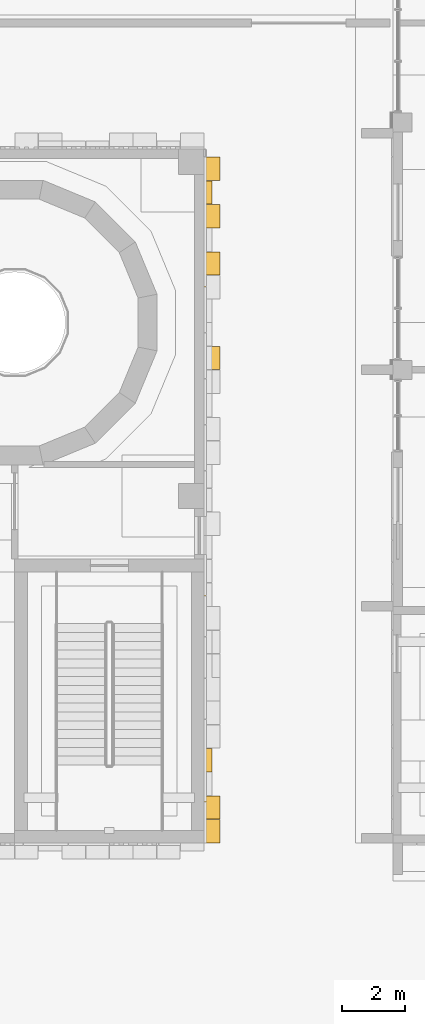
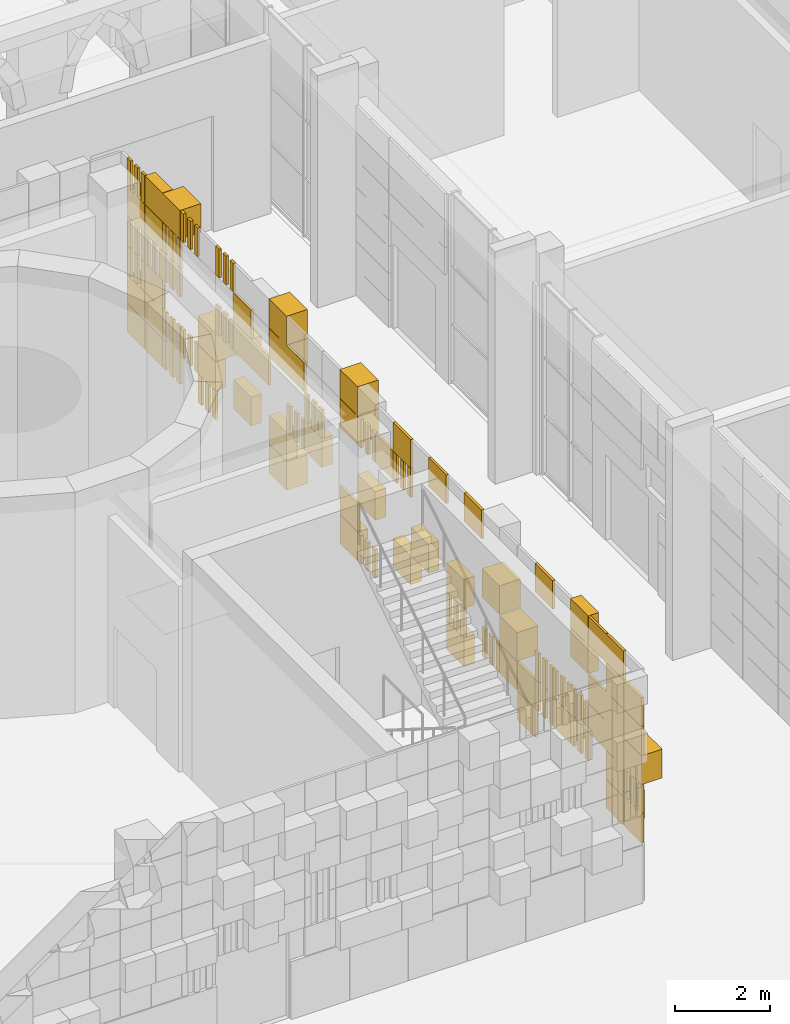
# One storey, part 99 of 125: 2 coverings.
"""IFC4 building model written with IfcOpenShell, lengths in metres."""

from ifc_helpers import new_model, si_unit, direction, frame, origin, origin_2d, place, context, subcontext, project, spatial, rectangle, extrude, material, layer, layer_set, type_object, element, save


model = new_model("IFC4")

# Units and contexts
model_context = context("Model", 3, precision=1e-05, world=origin(), true_north=direction((0.0, 1.0)))
body_context = subcontext(model_context, "Body", "Model", "MODEL_VIEW")
ifc_project = project(units=[si_unit("LENGTHUNIT", "METRE"), si_unit("AREAUNIT", "SQUARE_METRE"), si_unit("VOLUMEUNIT", "CUBIC_METRE"), si_unit("PLANEANGLEUNIT", "RADIAN"), si_unit("MASSUNIT", "GRAM", prefix="KILO")], contexts=[model_context])

# Site, building, storey
site_placement = place(None, origin())
site = spatial("IfcSite", under=ifc_project, at=site_placement, CompositionType="ELEMENT")
building_placement = place(site_placement, origin())
building = spatial("IfcBuilding", under=site, at=building_placement, Name="Sun Court Science Centre", CompositionType="ELEMENT")
storey_placement = place(building_placement, origin())
storey = spatial("IfcBuildingStorey", under=building, at=storey_placement, Name="L00", CompositionType="ELEMENT", Elevation=0.0)

# Coverings
ifc_material_1 = material(Name="Terracotta jali", Category="masonry")
ifc_layer_1 = layer(ifc_material_1, 0.06005859375)
ifc_layer_set_1 = layer_set([ifc_layer_1], Name="Terracotta jali")
covering_type_1 = type_object("IfcCoveringType", Name="Terracotta open jali panel", PredefinedType="CLADDING", material=ifc_layer_set_1)
covering_1_placement = place(storey_placement, origin())
element("IfcCovering", 1, at=covering_1_placement, inside=storey, type_object=covering_type_1, Name="Open jali pixel cladding east face L00", PredefinedType="CLADDING", context=body_context, shape_type="SweptSolid", body=[
    extrude(rectangle(XDim=0.139892578125, YDim=0.06005859375, at=origin_2d()), frame((72.030029296875, 26.175048828125, 1.5048828125), z_axis=(0.0, 0.0, 1.0), x_axis=(0.0, -1.0, 0.0)), (0.0, 0.0, 1.0), 0.739990234375),
    extrude(rectangle(XDim=0.139892578125, YDim=0.06005859375, at=origin_2d()), frame((72.030029296875, 25.875, 1.5048828125), z_axis=(0.0, 0.0, 1.0), x_axis=(0.0, -1.0, 0.0)), (0.0, 0.0, 1.0), 0.739990234375),
    extrude(rectangle(XDim=0.139892578125, YDim=0.06005859375, at=origin_2d()), frame((72.030029296875, 25.574951171875, 1.5048828125), z_axis=(0.0, 0.0, 1.0), x_axis=(0.0, -1.0, 0.0)), (0.0, 0.0, 1.0), 0.739990234375),
    extrude(rectangle(XDim=0.139892578125, YDim=0.06005859375, at=origin_2d()), frame((72.030029296875, 24.675048828125, 1.5048828125), z_axis=(0.0, 0.0, 1.0), x_axis=(0.0, -1.0, 0.0)), (0.0, 0.0, 1.0), 0.739990234375),
    extrude(rectangle(XDim=0.139892578125, YDim=0.06005859375, at=origin_2d()), frame((72.030029296875, 24.375, 1.5048828125), z_axis=(0.0, 0.0, 1.0), x_axis=(0.0, -1.0, 0.0)), (0.0, 0.0, 1.0), 0.739990234375),
    extrude(rectangle(XDim=0.139892578125, YDim=0.06005859375, at=origin_2d()), frame((72.030029296875, 24.074951171875, 1.5048828125), z_axis=(0.0, 0.0, 1.0), x_axis=(0.0, -1.0, 0.0)), (0.0, 0.0, 1.0), 0.739990234375),
    extrude(rectangle(XDim=0.139892578125, YDim=0.06005859375, at=origin_2d()), frame((72.030029296875, 17.925048828125, 1.5048828125), z_axis=(0.0, 0.0, 1.0), x_axis=(0.0, -1.0, 0.0)), (0.0, 0.0, 1.0), 0.739990234375),
    extrude(rectangle(XDim=0.139892578125, YDim=0.06005859375, at=origin_2d()), frame((72.030029296875, 17.625, 1.5048828125), z_axis=(0.0, 0.0, 1.0), x_axis=(0.0, -1.0, 0.0)), (0.0, 0.0, 1.0), 0.739990234375),
    extrude(rectangle(XDim=0.139892578125, YDim=0.06005859375, at=origin_2d()), frame((72.030029296875, 17.324951171875, 1.5048828125), z_axis=(0.0, 0.0, 1.0), x_axis=(0.0, -1.0, 0.0)), (0.0, 0.0, 1.0), 0.739990234375),
    extrude(rectangle(XDim=0.139892578125, YDim=0.06005859375, at=origin_2d()), frame((72.030029296875, 26.175048828125, 2.2548828125), z_axis=(0.0, 0.0, 1.0), x_axis=(0.0, -1.0, 0.0)), (0.0, 0.0, 1.0), 0.739990234375),
    extrude(rectangle(XDim=0.139892578125, YDim=0.06005859375, at=origin_2d()), frame((72.030029296875, 25.875, 2.2548828125), z_axis=(0.0, 0.0, 1.0), x_axis=(0.0, -1.0, 0.0)), (0.0, 0.0, 1.0), 0.739990234375),
    extrude(rectangle(XDim=0.139892578125, YDim=0.06005859375, at=origin_2d()), frame((72.030029296875, 25.574951171875, 2.2548828125), z_axis=(0.0, 0.0, 1.0), x_axis=(0.0, -1.0, 0.0)), (0.0, 0.0, 1.0), 0.739990234375),
    extrude(rectangle(XDim=0.139892578125, YDim=0.06005859375, at=origin_2d()), frame((72.030029296875, 25.425048828125, 2.2548828125), z_axis=(0.0, 0.0, 1.0), x_axis=(0.0, -1.0, 0.0)), (0.0, 0.0, 1.0), 0.739990234375),
    extrude(rectangle(XDim=0.139892578125, YDim=0.06005859375, at=origin_2d()), frame((72.030029296875, 25.125, 2.2548828125), z_axis=(0.0, 0.0, 1.0), x_axis=(0.0, -1.0, 0.0)), (0.0, 0.0, 1.0), 0.739990234375),
    extrude(rectangle(XDim=0.139892578125, YDim=0.06005859375, at=origin_2d()), frame((72.030029296875, 24.824951171875, 2.2548828125), z_axis=(0.0, 0.0, 1.0), x_axis=(0.0, -1.0, 0.0)), (0.0, 0.0, 1.0), 0.739990234375),
    extrude(rectangle(XDim=0.139892578125, YDim=0.06005859375, at=origin_2d()), frame((72.030029296875, 14.175048828125, 2.2548828125), z_axis=(0.0, 0.0, 1.0), x_axis=(0.0, -1.0, 0.0)), (0.0, 0.0, 1.0), 0.739990234375),
    extrude(rectangle(XDim=0.139892578125, YDim=0.06005859375, at=origin_2d()), frame((72.030029296875, 13.875, 2.2548828125), z_axis=(0.0, 0.0, 1.0), x_axis=(0.0, -1.0, 0.0)), (0.0, 0.0, 1.0), 0.739990234375),
    extrude(rectangle(XDim=0.139892578125, YDim=0.06005859375, at=origin_2d()), frame((72.030029296875, 13.574951171875, 2.2548828125), z_axis=(0.0, 0.0, 1.0), x_axis=(0.0, -1.0, 0.0)), (0.0, 0.0, 1.0), 0.739990234375),
    extrude(rectangle(XDim=0.139892578125, YDim=0.06005859375, at=origin_2d()), frame((72.030029296875, 12.675048828125, 2.2548828125), z_axis=(0.0, 0.0, 1.0), x_axis=(0.0, -1.0, 0.0)), (0.0, 0.0, 1.0), 0.739990234375),
    extrude(rectangle(XDim=0.139892578125, YDim=0.06005859375, at=origin_2d()), frame((72.030029296875, 12.375, 2.2548828125), z_axis=(0.0, 0.0, 1.0), x_axis=(0.0, -1.0, 0.0)), (0.0, 0.0, 1.0), 0.739990234375),
    extrude(rectangle(XDim=0.139892578125, YDim=0.06005859375, at=origin_2d()), frame((72.030029296875, 12.074951171875, 2.2548828125), z_axis=(0.0, 0.0, 1.0), x_axis=(0.0, -1.0, 0.0)), (0.0, 0.0, 1.0), 0.739990234375),
    extrude(rectangle(XDim=0.139892578125, YDim=0.06005859375, at=origin_2d()), frame((72.030029296875, 10.425048828125, 2.2548828125), z_axis=(0.0, 0.0, 1.0), x_axis=(0.0, -1.0, 0.0)), (0.0, 0.0, 1.0), 0.739990234375),
    extrude(rectangle(XDim=0.139892578125, YDim=0.06005859375, at=origin_2d()), frame((72.030029296875, 10.125, 2.2548828125), z_axis=(0.0, 0.0, 1.0), x_axis=(0.0, -1.0, 0.0)), (0.0, 0.0, 1.0), 0.739990234375),
    extrude(rectangle(XDim=0.139892578125, YDim=0.06005859375, at=origin_2d()), frame((72.030029296875, 9.824951171875, 2.2548828125), z_axis=(0.0, 0.0, 1.0), x_axis=(0.0, -1.0, 0.0)), (0.0, 0.0, 1.0), 0.739990234375),
    extrude(rectangle(XDim=0.139892578125, YDim=0.06005859375, at=origin_2d()), frame((72.030029296875, 8.925048828125, 2.2548828125), z_axis=(0.0, 0.0, 1.0), x_axis=(0.0, -1.0, 0.0)), (0.0, 0.0, 1.0), 0.739990234375),
    extrude(rectangle(XDim=0.139892578125, YDim=0.06005859375, at=origin_2d()), frame((72.030029296875, 8.625, 2.2548828125), z_axis=(0.0, 0.0, 1.0), x_axis=(0.0, -1.0, 0.0)), (0.0, 0.0, 1.0), 0.739990234375),
    extrude(rectangle(XDim=0.139892578125, YDim=0.06005859375, at=origin_2d()), frame((72.030029296875, 8.324951171875, 2.2548828125), z_axis=(0.0, 0.0, 1.0), x_axis=(0.0, -1.0, 0.0)), (0.0, 0.0, 1.0), 0.739990234375),
    extrude(rectangle(XDim=0.139892578125, YDim=0.06005859375, at=origin_2d()), frame((72.030029296875, 6.675048828125, 2.2548828125), z_axis=(0.0, 0.0, 1.0), x_axis=(0.0, -1.0, 0.0)), (0.0, 0.0, 1.0), 0.739990234375),
    extrude(rectangle(XDim=0.139892578125, YDim=0.06005859375, at=origin_2d()), frame((72.030029296875, 6.375, 2.2548828125), z_axis=(0.0, 0.0, 1.0), x_axis=(0.0, -1.0, 0.0)), (0.0, 0.0, 1.0), 0.739990234375),
    extrude(rectangle(XDim=0.139892578125, YDim=0.06005859375, at=origin_2d()), frame((72.030029296875, 6.074951171875, 2.2548828125), z_axis=(0.0, 0.0, 1.0), x_axis=(0.0, -1.0, 0.0)), (0.0, 0.0, 1.0), 0.739990234375),
    extrude(rectangle(XDim=0.139892578125, YDim=0.06005859375, at=origin_2d()), frame((72.030029296875, 27.675048828125, 3.0048828125), z_axis=(0.0, 0.0, 1.0), x_axis=(0.0, -1.0, 0.0)), (0.0, 0.0, 1.0), 0.739990234375),
    extrude(rectangle(XDim=0.139892578125, YDim=0.06005859375, at=origin_2d()), frame((72.030029296875, 27.375, 3.0048828125), z_axis=(0.0, 0.0, 1.0), x_axis=(0.0, -1.0, 0.0)), (0.0, 0.0, 1.0), 0.739990234375),
    extrude(rectangle(XDim=0.139892578125, YDim=0.06005859375, at=origin_2d()), frame((72.030029296875, 27.074951171875, 3.0048828125), z_axis=(0.0, 0.0, 1.0), x_axis=(0.0, -1.0, 0.0)), (0.0, 0.0, 1.0), 0.739990234375),
    extrude(rectangle(XDim=0.139892578125, YDim=0.06005859375, at=origin_2d()), frame((72.030029296875, 20.925048828125, 3.0048828125), z_axis=(0.0, 0.0, 1.0), x_axis=(0.0, -1.0, 0.0)), (0.0, 0.0, 1.0), 0.739990234375),
    extrude(rectangle(XDim=0.139892578125, YDim=0.06005859375, at=origin_2d()), frame((72.030029296875, 20.625, 3.0048828125), z_axis=(0.0, 0.0, 1.0), x_axis=(0.0, -1.0, 0.0)), (0.0, 0.0, 1.0), 0.739990234375),
    extrude(rectangle(XDim=0.139892578125, YDim=0.06005859375, at=origin_2d()), frame((72.030029296875, 20.324951171875, 3.0048828125), z_axis=(0.0, 0.0, 1.0), x_axis=(0.0, -1.0, 0.0)), (0.0, 0.0, 1.0), 0.739990234375),
    extrude(rectangle(XDim=0.139892578125, YDim=0.06005859375, at=origin_2d()), frame((72.030029296875, 10.425048828125, 3.0048828125), z_axis=(0.0, 0.0, 1.0), x_axis=(0.0, -1.0, 0.0)), (0.0, 0.0, 1.0), 0.739990234375),
    extrude(rectangle(XDim=0.139892578125, YDim=0.06005859375, at=origin_2d()), frame((72.030029296875, 10.125, 3.0048828125), z_axis=(0.0, 0.0, 1.0), x_axis=(0.0, -1.0, 0.0)), (0.0, 0.0, 1.0), 0.739990234375),
    extrude(rectangle(XDim=0.139892578125, YDim=0.06005859375, at=origin_2d()), frame((72.030029296875, 9.824951171875, 3.0048828125), z_axis=(0.0, 0.0, 1.0), x_axis=(0.0, -1.0, 0.0)), (0.0, 0.0, 1.0), 0.739990234375),
    extrude(rectangle(XDim=0.139892578125, YDim=0.06005859375, at=origin_2d()), frame((72.030029296875, 9.675048828125, 3.0048828125), z_axis=(0.0, 0.0, 1.0), x_axis=(0.0, -1.0, 0.0)), (0.0, 0.0, 1.0), 0.739990234375),
    extrude(rectangle(XDim=0.139892578125, YDim=0.06005859375, at=origin_2d()), frame((72.030029296875, 9.375, 3.0048828125), z_axis=(0.0, 0.0, 1.0), x_axis=(0.0, -1.0, 0.0)), (0.0, 0.0, 1.0), 0.739990234375),
    extrude(rectangle(XDim=0.139892578125, YDim=0.06005859375, at=origin_2d()), frame((72.030029296875, 9.074951171875, 3.0048828125), z_axis=(0.0, 0.0, 1.0), x_axis=(0.0, -1.0, 0.0)), (0.0, 0.0, 1.0), 0.739990234375),
    extrude(rectangle(XDim=0.139892578125, YDim=0.06005859375, at=origin_2d()), frame((72.030029296875, 8.925048828125, 3.0048828125), z_axis=(0.0, 0.0, 1.0), x_axis=(0.0, -1.0, 0.0)), (0.0, 0.0, 1.0), 0.739990234375),
    extrude(rectangle(XDim=0.139892578125, YDim=0.06005859375, at=origin_2d()), frame((72.030029296875, 8.625, 3.0048828125), z_axis=(0.0, 0.0, 1.0), x_axis=(0.0, -1.0, 0.0)), (0.0, 0.0, 1.0), 0.739990234375),
    extrude(rectangle(XDim=0.139892578125, YDim=0.06005859375, at=origin_2d()), frame((72.030029296875, 8.324951171875, 3.0048828125), z_axis=(0.0, 0.0, 1.0), x_axis=(0.0, -1.0, 0.0)), (0.0, 0.0, 1.0), 0.739990234375),
    extrude(rectangle(XDim=0.139892578125, YDim=0.06005859375, at=origin_2d()), frame((72.030029296875, 27.675048828125, 3.7548828125), z_axis=(0.0, 0.0, 1.0), x_axis=(0.0, -1.0, 0.0)), (0.0, 0.0, 1.0), 0.739990234375),
    extrude(rectangle(XDim=0.139892578125, YDim=0.06005859375, at=origin_2d()), frame((72.030029296875, 27.375, 3.7548828125), z_axis=(0.0, 0.0, 1.0), x_axis=(0.0, -1.0, 0.0)), (0.0, 0.0, 1.0), 0.739990234375),
    extrude(rectangle(XDim=0.139892578125, YDim=0.06005859375, at=origin_2d()), frame((72.030029296875, 27.074951171875, 3.7548828125), z_axis=(0.0, 0.0, 1.0), x_axis=(0.0, -1.0, 0.0)), (0.0, 0.0, 1.0), 0.739990234375),
    extrude(rectangle(XDim=0.139892578125, YDim=0.06005859375, at=origin_2d()), frame((72.030029296875, 26.925048828125, 3.7548828125), z_axis=(0.0, 0.0, 1.0), x_axis=(0.0, -1.0, 0.0)), (0.0, 0.0, 1.0), 0.739990234375),
    extrude(rectangle(XDim=0.139892578125, YDim=0.06005859375, at=origin_2d()), frame((72.030029296875, 26.625, 3.7548828125), z_axis=(0.0, 0.0, 1.0), x_axis=(0.0, -1.0, 0.0)), (0.0, 0.0, 1.0), 0.739990234375),
    extrude(rectangle(XDim=0.139892578125, YDim=0.06005859375, at=origin_2d()), frame((72.030029296875, 26.324951171875, 3.7548828125), z_axis=(0.0, 0.0, 1.0), x_axis=(0.0, -1.0, 0.0)), (0.0, 0.0, 1.0), 0.739990234375),
    extrude(rectangle(XDim=0.139892578125, YDim=0.06005859375, at=origin_2d()), frame((72.030029296875, 26.175048828125, 3.7548828125), z_axis=(0.0, 0.0, 1.0), x_axis=(0.0, -1.0, 0.0)), (0.0, 0.0, 1.0), 0.739990234375),
    extrude(rectangle(XDim=0.139892578125, YDim=0.06005859375, at=origin_2d()), frame((72.030029296875, 25.875, 3.7548828125), z_axis=(0.0, 0.0, 1.0), x_axis=(0.0, -1.0, 0.0)), (0.0, 0.0, 1.0), 0.739990234375),
    extrude(rectangle(XDim=0.139892578125, YDim=0.06005859375, at=origin_2d()), frame((72.030029296875, 25.574951171875, 3.7548828125), z_axis=(0.0, 0.0, 1.0), x_axis=(0.0, -1.0, 0.0)), (0.0, 0.0, 1.0), 0.739990234375),
    extrude(rectangle(XDim=0.139892578125, YDim=0.06005859375, at=origin_2d()), frame((72.030029296875, 23.925048828125, 3.7548828125), z_axis=(0.0, 0.0, 1.0), x_axis=(0.0, -1.0, 0.0)), (0.0, 0.0, 1.0), 0.739990234375),
    extrude(rectangle(XDim=0.139892578125, YDim=0.06005859375, at=origin_2d()), frame((72.030029296875, 23.625, 3.7548828125), z_axis=(0.0, 0.0, 1.0), x_axis=(0.0, -1.0, 0.0)), (0.0, 0.0, 1.0), 0.739990234375),
    extrude(rectangle(XDim=0.139892578125, YDim=0.06005859375, at=origin_2d()), frame((72.030029296875, 23.324951171875, 3.7548828125), z_axis=(0.0, 0.0, 1.0), x_axis=(0.0, -1.0, 0.0)), (0.0, 0.0, 1.0), 0.739990234375),
    extrude(rectangle(XDim=0.139892578125, YDim=0.06005859375, at=origin_2d()), frame((72.030029296875, 20.175048828125, 3.7548828125), z_axis=(0.0, 0.0, 1.0), x_axis=(0.0, -1.0, 0.0)), (0.0, 0.0, 1.0), 0.739990234375),
    extrude(rectangle(XDim=0.139892578125, YDim=0.06005859375, at=origin_2d()), frame((72.030029296875, 19.875, 3.7548828125), z_axis=(0.0, 0.0, 1.0), x_axis=(0.0, -1.0, 0.0)), (0.0, 0.0, 1.0), 0.739990234375),
    extrude(rectangle(XDim=0.139892578125, YDim=0.06005859375, at=origin_2d()), frame((72.030029296875, 19.574951171875, 3.7548828125), z_axis=(0.0, 0.0, 1.0), x_axis=(0.0, -1.0, 0.0)), (0.0, 0.0, 1.0), 0.739990234375),
    extrude(rectangle(XDim=0.139892578125, YDim=0.06005859375, at=origin_2d()), frame((72.030029296875, 26.175048828125, 4.5048828125), z_axis=(0.0, 0.0, 1.0), x_axis=(0.0, -1.0, 0.0)), (0.0, 0.0, 1.0), 0.739990234375),
    extrude(rectangle(XDim=0.139892578125, YDim=0.06005859375, at=origin_2d()), frame((72.030029296875, 25.875, 4.5048828125), z_axis=(0.0, 0.0, 1.0), x_axis=(0.0, -1.0, 0.0)), (0.0, 0.0, 1.0), 0.739990234375),
    extrude(rectangle(XDim=0.139892578125, YDim=0.06005859375, at=origin_2d()), frame((72.030029296875, 25.574951171875, 4.5048828125), z_axis=(0.0, 0.0, 1.0), x_axis=(0.0, -1.0, 0.0)), (0.0, 0.0, 1.0), 0.739990234375),
    extrude(rectangle(XDim=0.139892578125, YDim=0.06005859375, at=origin_2d()), frame((72.030029296875, 17.925048828125, 4.5048828125), z_axis=(0.0, 0.0, 1.0), x_axis=(0.0, -1.0, 0.0)), (0.0, 0.0, 1.0), 0.739990234375),
    extrude(rectangle(XDim=0.139892578125, YDim=0.06005859375, at=origin_2d()), frame((72.030029296875, 17.625, 4.5048828125), z_axis=(0.0, 0.0, 1.0), x_axis=(0.0, -1.0, 0.0)), (0.0, 0.0, 1.0), 0.739990234375),
    extrude(rectangle(XDim=0.139892578125, YDim=0.06005859375, at=origin_2d()), frame((72.030029296875, 17.324951171875, 4.5048828125), z_axis=(0.0, 0.0, 1.0), x_axis=(0.0, -1.0, 0.0)), (0.0, 0.0, 1.0), 0.739990234375),
    extrude(rectangle(XDim=0.139892578125, YDim=0.06005859375, at=origin_2d()), frame((72.030029296875, 16.425048828125, 4.5048828125), z_axis=(0.0, 0.0, 1.0), x_axis=(0.0, -1.0, 0.0)), (0.0, 0.0, 1.0), 0.739990234375),
    extrude(rectangle(XDim=0.139892578125, YDim=0.06005859375, at=origin_2d()), frame((72.030029296875, 16.125, 4.5048828125), z_axis=(0.0, 0.0, 1.0), x_axis=(0.0, -1.0, 0.0)), (0.0, 0.0, 1.0), 0.739990234375),
    extrude(rectangle(XDim=0.139892578125, YDim=0.06005859375, at=origin_2d()), frame((72.030029296875, 15.824951171875, 4.5048828125), z_axis=(0.0, 0.0, 1.0), x_axis=(0.0, -1.0, 0.0)), (0.0, 0.0, 1.0), 0.739990234375),
    extrude(rectangle(XDim=0.139892578125, YDim=0.06005859375, at=origin_2d()), frame((72.030029296875, 27.675048828125, 5.2548828125), z_axis=(0.0, 0.0, 1.0), x_axis=(0.0, -1.0, 0.0)), (0.0, 0.0, 1.0), 0.739990234375),
    extrude(rectangle(XDim=0.139892578125, YDim=0.06005859375, at=origin_2d()), frame((72.030029296875, 27.375, 5.2548828125), z_axis=(0.0, 0.0, 1.0), x_axis=(0.0, -1.0, 0.0)), (0.0, 0.0, 1.0), 0.739990234375),
    extrude(rectangle(XDim=0.139892578125, YDim=0.06005859375, at=origin_2d()), frame((72.030029296875, 27.074951171875, 5.2548828125), z_axis=(0.0, 0.0, 1.0), x_axis=(0.0, -1.0, 0.0)), (0.0, 0.0, 1.0), 0.739990234375),
    extrude(rectangle(XDim=0.139892578125, YDim=0.06005859375, at=origin_2d()), frame((72.030029296875, 25.425048828125, 5.2548828125), z_axis=(0.0, 0.0, 1.0), x_axis=(0.0, -1.0, 0.0)), (0.0, 0.0, 1.0), 0.739990234375),
    extrude(rectangle(XDim=0.139892578125, YDim=0.06005859375, at=origin_2d()), frame((72.030029296875, 25.125, 5.2548828125), z_axis=(0.0, 0.0, 1.0), x_axis=(0.0, -1.0, 0.0)), (0.0, 0.0, 1.0), 0.739990234375),
    extrude(rectangle(XDim=0.139892578125, YDim=0.06005859375, at=origin_2d()), frame((72.030029296875, 24.824951171875, 5.2548828125), z_axis=(0.0, 0.0, 1.0), x_axis=(0.0, -1.0, 0.0)), (0.0, 0.0, 1.0), 0.739990234375),
    extrude(rectangle(XDim=0.139892578125, YDim=0.06005859375, at=origin_2d()), frame((72.030029296875, 23.925048828125, 5.2548828125), z_axis=(0.0, 0.0, 1.0), x_axis=(0.0, -1.0, 0.0)), (0.0, 0.0, 1.0), 0.739990234375),
    extrude(rectangle(XDim=0.139892578125, YDim=0.06005859375, at=origin_2d()), frame((72.030029296875, 23.625, 5.2548828125), z_axis=(0.0, 0.0, 1.0), x_axis=(0.0, -1.0, 0.0)), (0.0, 0.0, 1.0), 0.739990234375),
    extrude(rectangle(XDim=0.139892578125, YDim=0.06005859375, at=origin_2d()), frame((72.030029296875, 23.324951171875, 5.2548828125), z_axis=(0.0, 0.0, 1.0), x_axis=(0.0, -1.0, 0.0)), (0.0, 0.0, 1.0), 0.739990234375),
    extrude(rectangle(XDim=0.739990234375, YDim=0.06005859375, at=origin_2d()), frame((72.030029296875, 6.375, 4.5048828125), z_axis=(0.0, 0.0, 1.0), x_axis=(0.0, -1.0, 0.0)), (0.0, 0.0, 1.0), 0.739990234375),
    extrude(rectangle(XDim=0.739990234375, YDim=0.06005859375, at=origin_2d()), frame((72.030029296875, 6.375, 1.5048828125), z_axis=(0.0, 0.0, 1.0), x_axis=(0.0, -1.0, 0.0)), (0.0, 0.0, 1.0), 0.739990234375),
    extrude(rectangle(XDim=0.739990234375, YDim=0.06005859375, at=origin_2d()), frame((72.030029296875, 6.375, 3.7548828125), z_axis=(0.0, 0.0, 1.0), x_axis=(0.0, -1.0, 0.0)), (0.0, 0.0, 1.0), 0.739990234375),
    extrude(rectangle(XDim=0.739990234375, YDim=0.510009765625, at=origin_2d()), frame((72.2548828125, 6.375, 3.0048828125), z_axis=(0.0, 0.0, 1.0), x_axis=(0.0, -1.0, 0.0)), (0.0, 0.0, 1.0), 0.739990234375),
    extrude(rectangle(XDim=0.739990234375, YDim=0.260009765625, at=origin_2d()), frame((72.1298828125, 27.375, 1.5048828125), z_axis=(0.0, 0.0, 1.0), x_axis=(0.0, -1.0, 0.0)), (0.0, 0.0, 1.0), 0.739990234375),
    extrude(rectangle(XDim=0.739990234375, YDim=0.510009765625, at=origin_2d()), frame((72.2548828125, 27.375, 4.5048828125), z_axis=(0.0, 0.0, 1.0), x_axis=(0.0, -1.0, 0.0)), (0.0, 0.0, 1.0), 0.739990234375),
    extrude(rectangle(XDim=0.739990234375, YDim=0.510009765625, at=origin_2d()), frame((72.2548828125, 27.375, 2.2548828125), z_axis=(0.0, 0.0, 1.0), x_axis=(0.0, -1.0, 0.0)), (0.0, 0.0, 1.0), 0.739990234375),
])
ifc_material_2 = material(Name="Terracotta shade 1", Category="masonry")
ifc_layer_2 = layer(ifc_material_2, 0.06005859375)
ifc_layer_set_2 = layer_set([ifc_layer_2], Name="Terracotta shade 1")
covering_type_2 = type_object("IfcCoveringType", Name="Terracotta pixel panel shade 1", PredefinedType="CLADDING", material=ifc_layer_set_2)
covering_2_placement = place(storey_placement, origin())
element("IfcCovering", 2, at=covering_2_placement, inside=storey, type_object=covering_type_2, Name="Terracotta pixel cladding shade 1 east face L00", PredefinedType="CLADDING", context=body_context, shape_type="SweptSolid", body=[
    extrude(rectangle(XDim=0.739990234375, YDim=0.06005859375, at=origin_2d()), frame((72.030029296875, 26.625, 1.5048828125), z_axis=(0.0, 0.0, 1.0), x_axis=(0.0, -1.0, 0.0)), (0.0, 0.0, 1.0), 0.739990234375),
    extrude(rectangle(XDim=0.739990234375, YDim=0.510009765625, at=origin_2d()), frame((72.2548828125, 21.375, 1.5048828125), z_axis=(0.0, 0.0, 1.0), x_axis=(0.0, -1.0, 0.0)), (0.0, 0.0, 1.0), 0.739990234375),
    extrude(rectangle(XDim=0.739990234375, YDim=0.260009765625, at=origin_2d()), frame((72.1298828125, 18.375, 1.5048828125), z_axis=(0.0, 0.0, 1.0), x_axis=(0.0, -1.0, 0.0)), (0.0, 0.0, 1.0), 0.739990234375),
    extrude(rectangle(XDim=0.739990234375, YDim=0.260009765625, at=origin_2d()), frame((72.1298828125, 13.875, 1.5048828125), z_axis=(0.0, 0.0, 1.0), x_axis=(0.0, -1.0, 0.0)), (0.0, 0.0, 1.0), 0.739990234375),
    extrude(rectangle(XDim=0.739990234375, YDim=0.06005859375, at=origin_2d()), frame((72.030029296875, 10.875, 1.5048828125), z_axis=(0.0, 0.0, 1.0), x_axis=(0.0, -1.0, 0.0)), (0.0, 0.0, 1.0), 0.739990234375),
    extrude(rectangle(XDim=0.739990234375, YDim=0.260009765625, at=origin_2d()), frame((72.1298828125, 24.375, 2.2548828125), z_axis=(0.0, 0.0, 1.0), x_axis=(0.0, -1.0, 0.0)), (0.0, 0.0, 1.0), 0.739990234375),
    extrude(rectangle(XDim=0.739990234375, YDim=0.260009765625, at=origin_2d()), frame((72.1298828125, 22.875, 2.2548828125), z_axis=(0.0, 0.0, 1.0), x_axis=(0.0, -1.0, 0.0)), (0.0, 0.0, 1.0), 0.739990234375),
    extrude(rectangle(XDim=0.739990234375, YDim=0.260009765625, at=origin_2d()), frame((72.1298828125, 21.375, 2.2548828125), z_axis=(0.0, 0.0, 1.0), x_axis=(0.0, -1.0, 0.0)), (0.0, 0.0, 1.0), 0.739990234375),
    extrude(rectangle(XDim=0.739990234375, YDim=0.06005859375, at=origin_2d()), frame((72.030029296875, 18.375, 2.2548828125), z_axis=(0.0, 0.0, 1.0), x_axis=(0.0, -1.0, 0.0)), (0.0, 0.0, 1.0), 0.739990234375),
    extrude(rectangle(XDim=0.739990234375, YDim=0.260009765625, at=origin_2d()), frame((72.1298828125, 16.125, 2.2548828125), z_axis=(0.0, 0.0, 1.0), x_axis=(0.0, -1.0, 0.0)), (0.0, 0.0, 1.0), 0.739990234375),
    extrude(rectangle(XDim=0.739990234375, YDim=0.06005859375, at=origin_2d()), frame((72.030029296875, 11.625, 2.2548828125), z_axis=(0.0, 0.0, 1.0), x_axis=(0.0, -1.0, 0.0)), (0.0, 0.0, 1.0), 0.739990234375),
    extrude(rectangle(XDim=0.739990234375, YDim=0.06005859375, at=origin_2d()), frame((72.030029296875, 10.875, 2.2548828125), z_axis=(0.0, 0.0, 1.0), x_axis=(0.0, -1.0, 0.0)), (0.0, 0.0, 1.0), 0.739990234375),
    extrude(rectangle(XDim=0.739990234375, YDim=0.510009765625, at=origin_2d()), frame((72.2548828125, 9.375, 2.2548828125), z_axis=(0.0, 0.0, 1.0), x_axis=(0.0, -1.0, 0.0)), (0.0, 0.0, 1.0), 0.739990234375),
    extrude(rectangle(XDim=0.739990234375, YDim=0.06005859375, at=origin_2d()), frame((72.030029296875, 26.625, 3.0048828125), z_axis=(0.0, 0.0, 1.0), x_axis=(0.0, -1.0, 0.0)), (0.0, 0.0, 1.0), 0.739990234375),
    extrude(rectangle(XDim=0.739990234375, YDim=0.510009765625, at=origin_2d()), frame((72.2548828125, 24.375, 3.0048828125), z_axis=(0.0, 0.0, 1.0), x_axis=(0.0, -1.0, 0.0)), (0.0, 0.0, 1.0), 0.739990234375),
    extrude(rectangle(XDim=0.739990234375, YDim=0.260009765625, at=origin_2d()), frame((72.1298828125, 19.875, 3.0048828125), z_axis=(0.0, 0.0, 1.0), x_axis=(0.0, -1.0, 0.0)), (0.0, 0.0, 1.0), 0.739990234375),
    extrude(rectangle(XDim=0.739990234375, YDim=0.260009765625, at=origin_2d()), frame((72.1298828125, 17.625, 3.0048828125), z_axis=(0.0, 0.0, 1.0), x_axis=(0.0, -1.0, 0.0)), (0.0, 0.0, 1.0), 0.739990234375),
    extrude(rectangle(XDim=0.739990234375, YDim=0.260009765625, at=origin_2d()), frame((72.1298828125, 15.375, 3.0048828125), z_axis=(0.0, 0.0, 1.0), x_axis=(0.0, -1.0, 0.0)), (0.0, 0.0, 1.0), 0.739990234375),
    extrude(rectangle(XDim=0.739990234375, YDim=0.260009765625, at=origin_2d()), frame((72.1298828125, 13.875, 3.0048828125), z_axis=(0.0, 0.0, 1.0), x_axis=(0.0, -1.0, 0.0)), (0.0, 0.0, 1.0), 0.739990234375),
    extrude(rectangle(XDim=0.739990234375, YDim=0.510009765625, at=origin_2d()), frame((72.2548828125, 11.625, 3.0048828125), z_axis=(0.0, 0.0, 1.0), x_axis=(0.0, -1.0, 0.0)), (0.0, 0.0, 1.0), 0.739990234375),
    extrude(rectangle(XDim=0.739990234375, YDim=0.06005859375, at=origin_2d()), frame((72.030029296875, 7.875, 3.0048828125), z_axis=(0.0, 0.0, 1.0), x_axis=(0.0, -1.0, 0.0)), (0.0, 0.0, 1.0), 0.739990234375),
    extrude(rectangle(XDim=0.739990234375, YDim=0.260009765625, at=origin_2d()), frame((72.1298828125, 22.875, 3.7548828125), z_axis=(0.0, 0.0, 1.0), x_axis=(0.0, -1.0, 0.0)), (0.0, 0.0, 1.0), 0.739990234375),
    extrude(rectangle(XDim=0.739990234375, YDim=0.06005859375, at=origin_2d()), frame((72.030029296875, 22.125, 3.7548828125), z_axis=(0.0, 0.0, 1.0), x_axis=(0.0, -1.0, 0.0)), (0.0, 0.0, 1.0), 0.739990234375),
    extrude(rectangle(XDim=0.739990234375, YDim=0.510009765625, at=origin_2d()), frame((72.2548828125, 12.375, 3.7548828125), z_axis=(0.0, 0.0, 1.0), x_axis=(0.0, -1.0, 0.0)), (0.0, 0.0, 1.0), 0.739990234375),
    extrude(rectangle(XDim=0.739990234375, YDim=0.06005859375, at=origin_2d()), frame((72.030029296875, 7.875, 3.7548828125), z_axis=(0.0, 0.0, 1.0), x_axis=(0.0, -1.0, 0.0)), (0.0, 0.0, 1.0), 0.739990234375),
    extrude(rectangle(XDim=0.739990234375, YDim=0.06005859375, at=origin_2d()), frame((72.030029296875, 7.125, 3.7548828125), z_axis=(0.0, 0.0, 1.0), x_axis=(0.0, -1.0, 0.0)), (0.0, 0.0, 1.0), 0.739990234375),
    extrude(rectangle(XDim=0.739990234375, YDim=0.06005859375, at=origin_2d()), frame((72.030029296875, 22.875, 4.5048828125), z_axis=(0.0, 0.0, 1.0), x_axis=(0.0, -1.0, 0.0)), (0.0, 0.0, 1.0), 0.739990234375),
    extrude(rectangle(XDim=0.739990234375, YDim=0.510009765625, at=origin_2d()), frame((72.2548828125, 21.375, 4.5048828125), z_axis=(0.0, 0.0, 1.0), x_axis=(0.0, -1.0, 0.0)), (0.0, 0.0, 1.0), 0.739990234375),
    extrude(rectangle(XDim=0.739990234375, YDim=0.06005859375, at=origin_2d()), frame((72.030029296875, 20.625, 4.5048828125), z_axis=(0.0, 0.0, 1.0), x_axis=(0.0, -1.0, 0.0)), (0.0, 0.0, 1.0), 0.739990234375),
    extrude(rectangle(XDim=0.739990234375, YDim=0.510009765625, at=origin_2d()), frame((72.2548828125, 18.375, 4.5048828125), z_axis=(0.0, 0.0, 1.0), x_axis=(0.0, -1.0, 0.0)), (0.0, 0.0, 1.0), 0.739990234375),
    extrude(rectangle(XDim=0.739990234375, YDim=0.06005859375, at=origin_2d()), frame((72.030029296875, 16.875, 4.5048828125), z_axis=(0.0, 0.0, 1.0), x_axis=(0.0, -1.0, 0.0)), (0.0, 0.0, 1.0), 0.739990234375),
    extrude(rectangle(XDim=0.739990234375, YDim=0.260009765625, at=origin_2d()), frame((72.1298828125, 8.625, 4.5048828125), z_axis=(0.0, 0.0, 1.0), x_axis=(0.0, -1.0, 0.0)), (0.0, 0.0, 1.0), 0.739990234375),
    extrude(rectangle(XDim=0.739990234375, YDim=0.510009765625, at=origin_2d()), frame((72.2548828125, 25.875, 5.2548828125), z_axis=(0.0, 0.0, 1.0), x_axis=(0.0, -1.0, 0.0)), (0.0, 0.0, 1.0), 0.739990234375),
    extrude(rectangle(XDim=0.739990234375, YDim=0.510009765625, at=origin_2d()), frame((72.2548828125, 21.375, 5.2548828125), z_axis=(0.0, 0.0, 1.0), x_axis=(0.0, -1.0, 0.0)), (0.0, 0.0, 1.0), 0.739990234375),
    extrude(rectangle(XDim=0.739990234375, YDim=0.510009765625, at=origin_2d()), frame((72.2548828125, 18.375, 5.2548828125), z_axis=(0.0, 0.0, 1.0), x_axis=(0.0, -1.0, 0.0)), (0.0, 0.0, 1.0), 0.739990234375),
    extrude(rectangle(XDim=0.739990234375, YDim=0.06005859375, at=origin_2d()), frame((72.030029296875, 16.125, 5.2548828125), z_axis=(0.0, 0.0, 1.0), x_axis=(0.0, -1.0, 0.0)), (0.0, 0.0, 1.0), 0.739990234375),
    extrude(rectangle(XDim=0.739990234375, YDim=0.06005859375, at=origin_2d()), frame((72.030029296875, 14.625, 5.2548828125), z_axis=(0.0, 0.0, 1.0), x_axis=(0.0, -1.0, 0.0)), (0.0, 0.0, 1.0), 0.739990234375),
    extrude(rectangle(XDim=0.739990234375, YDim=0.06005859375, at=origin_2d()), frame((72.030029296875, 13.125, 5.2548828125), z_axis=(0.0, 0.0, 1.0), x_axis=(0.0, -1.0, 0.0)), (0.0, 0.0, 1.0), 0.739990234375),
    extrude(rectangle(XDim=0.739990234375, YDim=0.06005859375, at=origin_2d()), frame((72.030029296875, 10.125, 5.2548828125), z_axis=(0.0, 0.0, 1.0), x_axis=(0.0, -1.0, 0.0)), (0.0, 0.0, 1.0), 0.739990234375),
    extrude(rectangle(XDim=0.739990234375, YDim=0.260009765625, at=origin_2d()), frame((72.1298828125, 8.625, 5.2548828125), z_axis=(0.0, 0.0, 1.0), x_axis=(0.0, -1.0, 0.0)), (0.0, 0.0, 1.0), 0.739990234375),
    extrude(rectangle(XDim=0.739990234375, YDim=0.06005859375, at=origin_2d()), frame((72.030029296875, 7.875, 5.2548828125), z_axis=(0.0, 0.0, 1.0), x_axis=(0.0, -1.0, 0.0)), (0.0, 0.0, 1.0), 0.739990234375),
    extrude(rectangle(XDim=0.739990234375, YDim=0.06005859375, at=origin_2d()), frame((72.030029296875, 7.125, 2.2548828125), z_axis=(0.0, 0.0, 1.0), x_axis=(0.0, -1.0, 0.0)), (0.0, 0.0, 1.0), 0.739990234375),
    extrude(rectangle(XDim=0.739990234375, YDim=0.06005859375, at=origin_2d()), frame((72.030029296875, 7.125, 3.0048828125), z_axis=(0.0, 0.0, 1.0), x_axis=(0.0, -1.0, 0.0)), (0.0, 0.0, 1.0), 0.739990234375),
    extrude(rectangle(XDim=0.739990234375, YDim=0.06005859375, at=origin_2d()), frame((72.030029296875, 7.125, 5.2548828125), z_axis=(0.0, 0.0, 1.0), x_axis=(0.0, -1.0, 0.0)), (0.0, 0.0, 1.0), 0.739990234375),
    extrude(rectangle(XDim=0.739990234375, YDim=0.06005859375, at=origin_2d()), frame((72.030029296875, 7.125, 4.5048828125), z_axis=(0.0, 0.0, 1.0), x_axis=(0.0, -1.0, 0.0)), (0.0, 0.0, 1.0), 0.739990234375),
    extrude(rectangle(XDim=0.739990234375, YDim=0.06005859375, at=origin_2d()), frame((72.030029296875, 26.625, 2.2548828125), z_axis=(0.0, 0.0, 1.0), x_axis=(0.0, -1.0, 0.0)), (0.0, 0.0, 1.0), 0.739990234375),
    extrude(rectangle(XDim=0.739990234375, YDim=0.06005859375, at=origin_2d()), frame((72.030029296875, 26.625, 4.5048828125), z_axis=(0.0, 0.0, 1.0), x_axis=(0.0, -1.0, 0.0)), (0.0, 0.0, 1.0), 0.739990234375),
    extrude(rectangle(XDim=0.739990234375, YDim=0.510009765625, at=origin_2d()), frame((72.2548828125, 7.125, 1.5048828125), z_axis=(0.0, 0.0, 1.0), x_axis=(0.0, -1.0, 0.0)), (0.0, 0.0, 1.0), 0.739990234375),
    extrude(rectangle(XDim=0.739990234375, YDim=0.260009765625, at=origin_2d()), frame((72.1298828125, 26.625, 5.2548828125), z_axis=(0.0, 0.0, 1.0), x_axis=(0.0, -1.0, 0.0)), (0.0, 0.0, 1.0), 0.739990234375),
])

save(model, "model.ifc")
